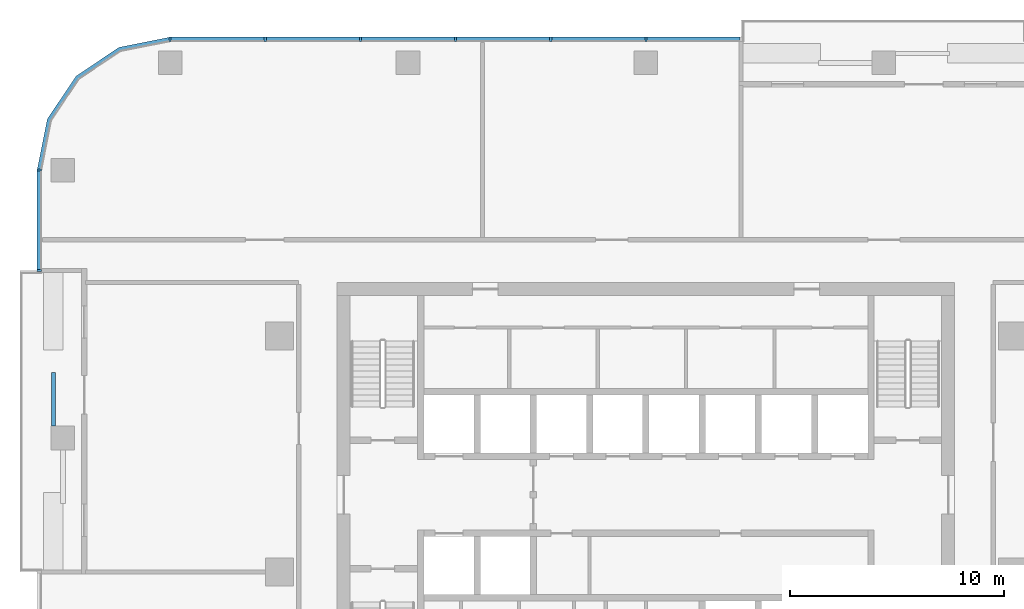
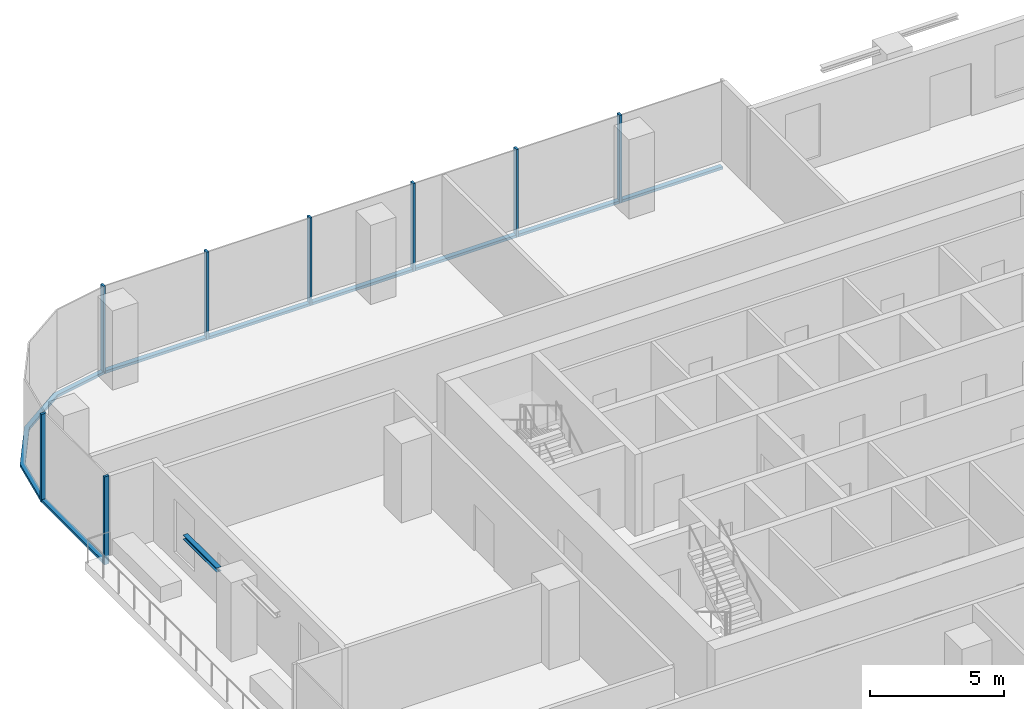
# One storey, part 4 of 14: 16 members, 1 beam, 3 elements without a shape of their own.
"""IFC4 building model written with IfcOpenShell, lengths in metres."""

from ifc_helpers import new_model, si_unit, direction, frame, origin, origin_2d, place, context, subcontext, project, spatial, polyline, rectangle, i_section, outline, extrude, material, material_profile, profile_set, type_object, element, aggregate, save


model = new_model("IFC4")

# Units and contexts
model_context = context("Model", 3, precision=1e-05, world=origin(), true_north=direction((0.0, 1.0)))
body_context = subcontext(model_context, "Body", "Model", "MODEL_VIEW")
ifc_project = project(units=[si_unit("LENGTHUNIT", "METRE"), si_unit("AREAUNIT", "SQUARE_METRE"), si_unit("VOLUMEUNIT", "CUBIC_METRE"), si_unit("PLANEANGLEUNIT", "RADIAN"), si_unit("MASSUNIT", "GRAM", prefix="KILO")], contexts=[model_context])

# Site, building, storey
site_placement = place(None, origin())
site = spatial("IfcSite", under=ifc_project, at=site_placement, CompositionType="ELEMENT")
building_placement = place(site_placement, origin())
building = spatial("IfcBuilding", under=site, at=building_placement, Name="Mopane Tessera Tower", CompositionType="ELEMENT")
storey_placement = place(building_placement, frame((0.0, 0.0, 243.0)))
storey = spatial("IfcBuildingStorey", under=building, at=storey_placement, Name="L52", CompositionType="ELEMENT", Elevation=243.0)

# Curtain wall, members
ifc_material_1 = material(Name="Aluminium frame", Category="aluminium")
curtain_wall_type = type_object("IfcCurtainWallType", Name="Unitised curtain wall", PredefinedType="NOTDEFINED", material=ifc_material_1)
curtain_wall_1_placement = place(storey_placement, origin())
curtain_wall_1 = element("IfcCurtainWall", 1, at=curtain_wall_1_placement, inside=storey, type_object=curtain_wall_type, Name="e:cw:L52:N:4", PredefinedType="NOTDEFINED")
ifc_material_2 = material(Name="Aluminium frame", Category="aluminium")
ifc_material_profile_1 = material_profile(ifc_material_2, rectangle(XDim=0.10009765625, YDim=0.199951171875, at=origin_2d()))
ifc_profile_set_1 = profile_set([ifc_material_profile_1], Name="Aluminium frame")
member_type_1 = type_object("IfcMemberType", Name="Aluminium mullion 100 x 200", PredefinedType="MULLION", material=ifc_profile_set_1)
member_1_placement = place(storey_placement, frame((0.0, 24.85009765625, -0.39990234375), z_axis=(0.0, 0.0, 1.0), x_axis=(-1.0, 0.0, 0.0)))
member_1 = element("IfcMember", 2, at=member_1_placement, type_object=member_type_1, Name="e:cw:L52:N:4:mu5", PredefinedType="MULLION", context=body_context, shape_type="SweptSolid", body=[
    extrude(rectangle(XDim=0.10009765625, YDim=0.199951171875, at=origin_2d()), origin(), (0.0, 0.0, 1.0), 4.0),
])
member_2_placement = place(storey_placement, frame((-4.43994140625, 24.85009765625, -0.39990234375), z_axis=(0.0, 0.0, 1.0), x_axis=(-1.0, 0.0, 0.0)))
member_2 = element("IfcMember", 3, at=member_2_placement, type_object=member_type_1, Name="e:cw:L52:N:4:mu6", PredefinedType="MULLION", context=body_context, shape_type="SweptSolid", body=[
    extrude(rectangle(XDim=0.10009765625, YDim=0.199951171875, at=origin_2d()), origin(), (0.0, 0.0, 1.0), 4.0),
])
member_3_placement = place(storey_placement, frame((-8.8798828125, 24.85009765625, -0.39990234375), z_axis=(0.0, 0.0, 1.0), x_axis=(-1.0, 0.0, 0.0)))
member_3 = element("IfcMember", 4, at=member_3_placement, type_object=member_type_1, Name="e:cw:L52:N:4:mu7", PredefinedType="MULLION", context=body_context, shape_type="SweptSolid", body=[
    extrude(rectangle(XDim=0.10009765625, YDim=0.199951171875, at=origin_2d()), origin(), (0.0, 0.0, 1.0), 4.0),
])
member_4_placement = place(storey_placement, frame((-13.320068359375, 24.85009765625, -0.39990234375), z_axis=(0.0, 0.0, 1.0), x_axis=(-1.0, 0.0, 0.0)))
member_4 = element("IfcMember", 5, at=member_4_placement, type_object=member_type_1, Name="e:cw:L52:N:4:mu8", PredefinedType="MULLION", context=body_context, shape_type="SweptSolid", body=[
    extrude(rectangle(XDim=0.10009765625, YDim=0.199951171875, at=origin_2d()), origin(), (0.0, 0.0, 1.0), 4.0),
])
member_5_placement = place(storey_placement, frame((-17.760009765625, 24.85009765625, -0.39990234375), z_axis=(0.0, 0.0, 1.0), x_axis=(-1.0, 0.0, 0.0)))
member_5 = element("IfcMember", 6, at=member_5_placement, type_object=member_type_1, Name="e:cw:L52:N:4:mu9", PredefinedType="MULLION", context=body_context, shape_type="SweptSolid", body=[
    extrude(rectangle(XDim=0.10009765625, YDim=0.199951171875, at=origin_2d()), origin(), (0.0, 0.0, 1.0), 4.0),
])
member_6_placement = place(storey_placement, frame((-22.199951171875, 24.85009765625, -0.39990234375), z_axis=(0.0, 0.0, 1.0), x_axis=(-1.0, 0.0, 0.0)))
member_6 = element("IfcMember", 7, at=member_6_placement, type_object=member_type_1, Name="e:cw:L52:N:4:mu10", PredefinedType="MULLION", context=body_context, shape_type="SweptSolid", body=[
    extrude(rectangle(XDim=0.10009765625, YDim=0.199951171875, at=origin_2d()), origin(), (0.0, 0.0, 1.0), 4.0),
])

curtain_wall_2_placement = place(storey_placement, origin())
curtain_wall_2 = element("IfcCurtainWall", 8, at=curtain_wall_2_placement, inside=storey, type_object=curtain_wall_type, Name="e:cw:L52:W:0", PredefinedType="NOTDEFINED")
member_7_placement = place(storey_placement, frame((-28.300048828125, 18.75, -0.39990234375), z_axis=(0.0, 0.0, 1.0), x_axis=(0.0, -1.0, 0.0)))
member_7 = element("IfcMember", 9, at=member_7_placement, type_object=member_type_1, Name="e:cw:L52:W:0:mu0", PredefinedType="MULLION", context=body_context, shape_type="SweptSolid", body=[
    extrude(rectangle(XDim=0.10009765625, YDim=0.199951171875, at=origin_2d()), origin(), (0.0, 0.0, 1.0), 4.0),
])
member_8_placement = place(storey_placement, frame((-28.300048828125, 14.0625, -0.39990234375), z_axis=(0.0, 0.0, 1.0), x_axis=(0.0, -1.0, 0.0)))
member_8 = element("IfcMember", 10, at=member_8_placement, type_object=member_type_1, Name="e:cw:L52:W:0:mu1", PredefinedType="MULLION", context=body_context, shape_type="SweptSolid", body=[
    extrude(rectangle(XDim=0.10009765625, YDim=0.199951171875, at=origin_2d()), origin(), (0.0, 0.0, 1.0), 4.0),
])

# Member
ifc_material_3 = material(Name="Aluminium frame", Category="aluminium")
ifc_material_profile_2 = material_profile(ifc_material_3, rectangle(XDim=0.199951171875, YDim=0.1201171875, at=origin_2d()))
ifc_profile_set_2 = profile_set([ifc_material_profile_2], Name="Aluminium frame")
member_type_2 = type_object("IfcMemberType", Name="Aluminium transom 200 x 120", PredefinedType="USERDEFINED", material=ifc_profile_set_2)
member_9_placement = place(storey_placement, frame((4.389892578125, 24.85009765625, -0.340087890625), z_axis=(-1.0, 0.0, 0.0), x_axis=(0.0, -1.0, 0.0)))
member_9 = element("IfcMember", 11, at=member_9_placement, type_object=member_type_2, Name="e:cw:L52:N:4:tr4", ObjectType="TRANSOM", PredefinedType="USERDEFINED", context=body_context, shape_type="SweptSolid", body=[
    extrude(rectangle(XDim=0.199951171875, YDim=0.1201171875, at=origin_2d()), origin(), (0.0, 0.0, 1.0), 4.33984375),
])

member_10_placement = place(storey_placement, frame((-0.050048828125, 24.85009765625, -0.340087890625), z_axis=(-1.0, 0.0, 0.0), x_axis=(0.0, -1.0, 0.0)))
member_10 = element("IfcMember", 12, at=member_10_placement, type_object=member_type_2, Name="e:cw:L52:N:4:tr5", ObjectType="TRANSOM", PredefinedType="USERDEFINED", context=body_context, shape_type="SweptSolid", body=[
    extrude(rectangle(XDim=0.199951171875, YDim=0.1201171875, at=origin_2d()), origin(), (0.0, 0.0, 1.0), 4.33984375),
])

member_11_placement = place(storey_placement, frame((-4.489990234375, 24.85009765625, -0.340087890625), z_axis=(-1.0, 0.0, 0.0), x_axis=(0.0, -1.0, 0.0)))
member_11 = element("IfcMember", 13, at=member_11_placement, type_object=member_type_2, Name="e:cw:L52:N:4:tr6", ObjectType="TRANSOM", PredefinedType="USERDEFINED", context=body_context, shape_type="SweptSolid", body=[
    extrude(rectangle(XDim=0.199951171875, YDim=0.1201171875, at=origin_2d()), origin(), (0.0, 0.0, 1.0), 4.340087890625),
])

member_12_placement = place(storey_placement, frame((-8.929931640625, 24.85009765625, -0.340087890625), z_axis=(-1.0, 0.0, 0.0), x_axis=(0.0, -1.0, 0.0)))
member_12 = element("IfcMember", 14, at=member_12_placement, type_object=member_type_2, Name="e:cw:L52:N:4:tr7", ObjectType="TRANSOM", PredefinedType="USERDEFINED", context=body_context, shape_type="SweptSolid", body=[
    extrude(rectangle(XDim=0.199951171875, YDim=0.1201171875, at=origin_2d()), origin(), (0.0, 0.0, 1.0), 4.340087890625),
])

member_13_placement = place(storey_placement, frame((-13.3701171875, 24.85009765625, -0.340087890625), z_axis=(-1.0, 0.0, 0.0), x_axis=(0.0, -1.0, 0.0)))
member_13 = element("IfcMember", 15, at=member_13_placement, type_object=member_type_2, Name="e:cw:L52:N:4:tr8", ObjectType="TRANSOM", PredefinedType="USERDEFINED", context=body_context, shape_type="SweptSolid", body=[
    extrude(rectangle(XDim=0.199951171875, YDim=0.1201171875, at=origin_2d()), origin(), (0.0, 0.0, 1.0), 4.33984375),
])

member_14_placement = place(storey_placement, frame((-17.81005859375, 24.85009765625, -0.340087890625), z_axis=(-1.0, 0.0, 0.0), x_axis=(0.0, -1.0, 0.0)))
member_14 = element("IfcMember", 16, at=member_14_placement, type_object=member_type_2, Name="e:cw:L52:N:4:tr9", ObjectType="TRANSOM", PredefinedType="USERDEFINED", context=body_context, shape_type="SweptSolid", body=[
    extrude(rectangle(XDim=0.199951171875, YDim=0.1201171875, at=origin_2d()), origin(), (0.0, 0.0, 1.0), 4.33984375),
])

aggregate(curtain_wall_1, [member_1, member_2, member_3, member_4, member_5, member_6, member_9, member_10, member_11, member_12, member_13, member_14])

# Curtain wall, member
curtain_wall_3_placement = place(storey_placement, origin())
curtain_wall_3 = element("IfcCurtainWall", 17, at=curtain_wall_3_placement, inside=storey, type_object=curtain_wall_type, Name="e:cw:L52:CN", PredefinedType="NOTDEFINED")
member_15_placement = place(storey_placement, frame((0.0, 0.0, -0.39990234375)))
member_15 = element("IfcMember", 18, at=member_15_placement, type_object=member_type_2, Name="e:cw:L52:CN:tr", ObjectType="TRANSOM", PredefinedType="USERDEFINED", context=body_context, shape_type="SweptSolid", body=[
    extrude(outline(polyline([(-22.199951171875, 24.75), (-24.49609375, 24.293212890625), (-26.442626953125, 22.99267578125), (-27.7431640625, 21.046142578125), (-28.199951171875, 18.75), (-28.39990234375, 18.75), (-27.927978515625, 21.12255859375), (-26.583984375, 23.134033203125), (-24.57275390625, 24.47802734375), (-22.199951171875, 24.949951171875), (-22.199951171875, 24.75)])), origin(), (0.0, 0.0, 1.0), 0.119873046875),
])
aggregate(curtain_wall_3, [member_15])

# Member
member_16_placement = place(storey_placement, frame((-28.300048828125, 18.699951171875, -0.340087890625), z_axis=(0.0, -1.0, 0.0), x_axis=(1.0, 0.0, 0.0)))
member_16 = element("IfcMember", 19, at=member_16_placement, type_object=member_type_2, Name="e:cw:L52:W:0:tr0", ObjectType="TRANSOM", PredefinedType="USERDEFINED", context=body_context, shape_type="SweptSolid", body=[
    extrude(rectangle(XDim=0.199951171875, YDim=0.1201171875, at=origin_2d()), origin(), (0.0, 0.0, 1.0), 4.58740234375),
])

aggregate(curtain_wall_2, [member_7, member_8, member_16])

# Beam
ifc_material_4 = material(Name="Structural steel S460", Category="steel")
ifc_material_profile_3 = material_profile(ifc_material_4, i_section(OverallWidth=0.199951171875, OverallDepth=0.199951171875, WebThickness=0.009033203125, FlangeThickness=0.014892578125, FilletRadius=0.01806640625, at=origin_2d()))
ifc_profile_set_3 = profile_set([ifc_material_profile_3], Name="Structural steel S460")
beam_type = type_object("IfcBeamType", Name="Terrace trimmer beam HE 200 B", PredefinedType="BEAM", material=ifc_profile_set_3)
beam_placement = place(storey_placement, frame((-27.639892578125, 6.802978515625, 3.5), z_axis=(0.0, 1.0, 0.0), x_axis=(-1.0, 0.0, 0.0)))
element("IfcBeam", 20, at=beam_placement, inside=storey, type_object=beam_type, Name="Terrace trimmer beam N3 L53", PredefinedType="BEAM", context=body_context, shape_type="SweptSolid", body=[
    extrude(i_section(OverallWidth=0.199951171875, OverallDepth=0.199951171875, WebThickness=0.009033203125, FlangeThickness=0.014892578125, FilletRadius=0.01806640625, at=origin_2d()), origin(), (0.0, 0.0, 1.0), 2.5),
])

save(model, "model.ifc")
